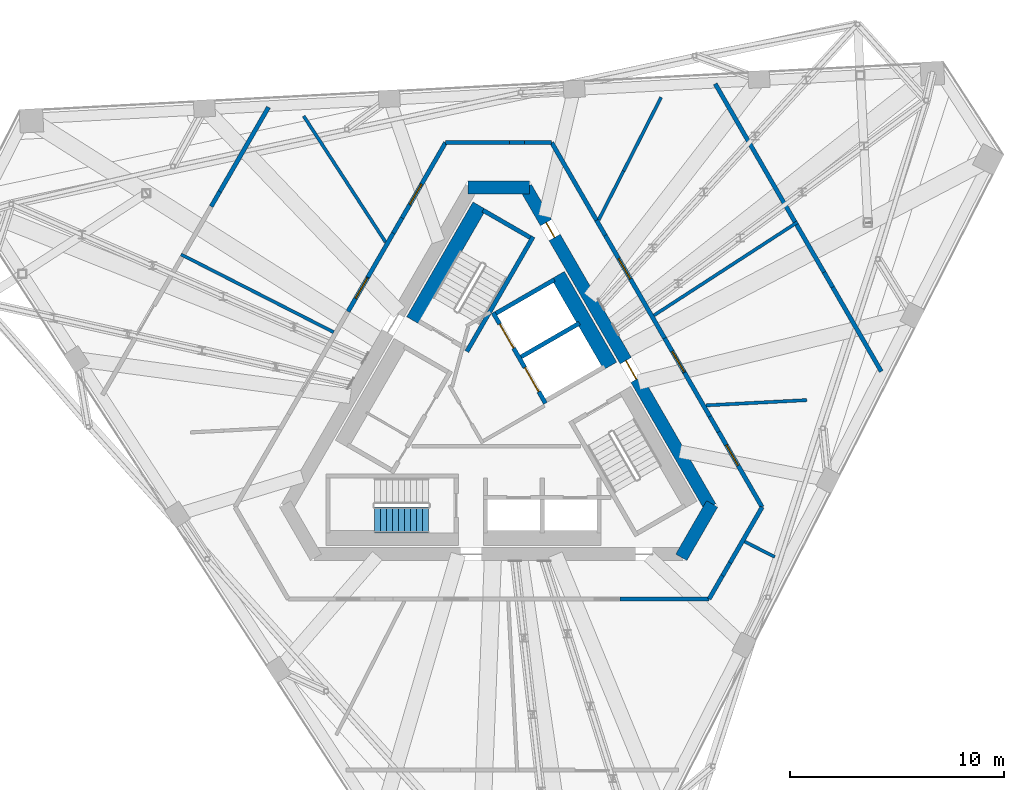
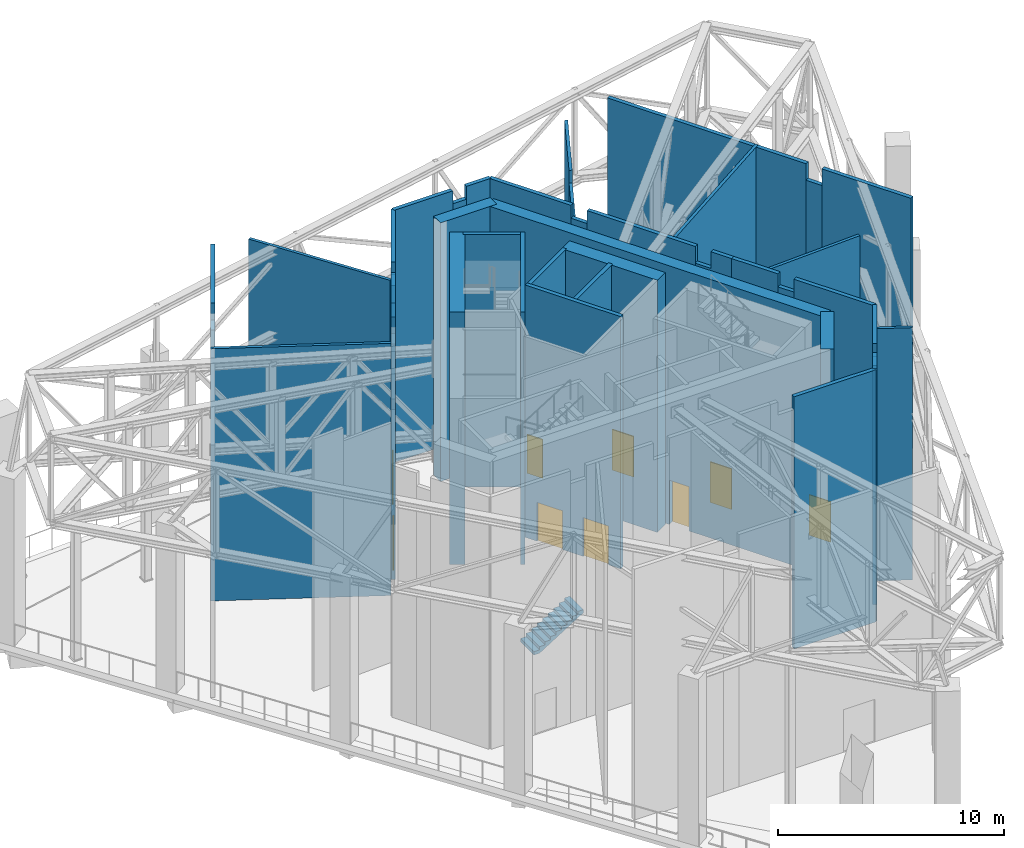
# One storey, part 16 of 23: 40 walls, 9 doors, 1 stair flight, 9 openings, 1 element without a shape of its own.
"""IFC4 building model written with IfcOpenShell, lengths in metres."""

import ifcopenshell
import ifcopenshell.guid

model = None  # the IFC model being written
_history = None  # IfcOwnerHistory: only IFC2X3 demands one
_inside = {}  # id of a spatial element -> (the spatial element, [elements in it])
_under = {}  # id of a project, library or spatial element -> (it, [spatial elements below it])
_declared = {}  # id of a project -> (the project, [libraries it declares])
_typed = {}  # id of a type object -> (the type object, [elements of that type])
_made_of = {}  # id of a material, layer set ... -> (it, [elements and type objects made of it])


def new_model(schema):
    """Start an empty IFC model of exactly this schema.

    Asked for "IFC4X3", IfcOpenShell would pick the latest addendum, in which some entities
    have other attributes; the version numbers below select the first issue.
    IFC2X3 requires an IfcOwnerHistory on every rooted entity: one is made here for all.
    """
    global model, _history
    if schema == "IFC4X3":
        model = ifcopenshell.file(schema_version=(4, 3, 0, 0))
    else:
        model = ifcopenshell.file(schema=schema)
    _inside.clear()
    _under.clear()
    _declared.clear()
    _typed.clear()
    _made_of.clear()
    _history = None
    if model.schema == "IFC2X3":
        org = make("IfcOrganization", Name="unknown")
        user = make(
            "IfcPersonAndOrganization",
            ThePerson=make("IfcPerson", FamilyName="unknown"),
            TheOrganization=org,
        )
        app = make(
            "IfcApplication",
            ApplicationDeveloper=org,
            Version="unknown",
            ApplicationFullName="unknown",
            ApplicationIdentifier="unknown",
        )
        _history = make(
            "IfcOwnerHistory",
            OwningUser=user,
            OwningApplication=app,
            ChangeAction="ADDED",
            CreationDate=0,
        )
    return model


def make(cls, **values):
    """One entity of the class cls with the attributes given. An attribute that is None is left unset."""
    return model.create_entity(
        cls, **{name: value for name, value in values.items() if value is not None}
    )


def rooted(cls, **values):
    """An entity with a GlobalId (a new one), such as an element, a storey or a relation."""
    return make(cls, GlobalId=ifcopenshell.guid.new(), OwnerHistory=_history, **values)


def si_unit(unit_type, name, prefix=None):
    """IfcSIUnit, for example si_unit("LENGTHUNIT", "METRE", prefix="MILLI")."""
    return make("IfcSIUnit", UnitType=unit_type, Prefix=prefix, Name=name)


def assignment(units):
    """IfcUnitAssignment: the units of a project."""
    return None if units is None else make("IfcUnitAssignment", Units=units)


def point(xyz):
    """IfcCartesianPoint."""
    return None if xyz is None else make("IfcCartesianPoint", Coordinates=xyz)


def direction(xyz):
    """IfcDirection."""
    return None if xyz is None else make("IfcDirection", DirectionRatios=xyz)


def frame(location, z_axis=None, x_axis=None):
    """IfcAxis2Placement3D, a coordinate frame: its origin and axes. An axis left out is left unset."""
    return make(
        "IfcAxis2Placement3D",
        Location=point(location),
        Axis=direction(z_axis),
        RefDirection=direction(x_axis),
    )


def frame_2d(location, x_axis=None):
    """IfcAxis2Placement2D, a coordinate frame in the plane: its origin and x axis."""
    return make(
        "IfcAxis2Placement2D", Location=point(location), RefDirection=direction(x_axis)
    )


def origin():
    """The frame at (0, 0, 0) with its axes left unset."""
    return frame((0.0, 0.0, 0.0))


def place(relative_to, where):
    """IfcLocalPlacement: puts the frame where relative to a parent placement (None: the world)."""
    return make(
        "IfcLocalPlacement", PlacementRelTo=relative_to, RelativePlacement=where
    )


def context(
    kind, dimensions, precision=None, world=None, true_north=None, identifier=None
):
    """IfcGeometricRepresentationContext, for example the 3D "Model" context."""
    return make(
        "IfcGeometricRepresentationContext",
        ContextIdentifier=identifier,
        ContextType=kind,
        CoordinateSpaceDimension=dimensions,
        Precision=precision,
        WorldCoordinateSystem=world,
        TrueNorth=true_north,
    )


def subcontext(parent, identifier, kind, view, scale=None):
    """IfcGeometricRepresentationSubContext, for example "Body" below "Model"."""
    return make(
        "IfcGeometricRepresentationSubContext",
        ContextIdentifier=identifier,
        ContextType=kind,
        ParentContext=parent,
        TargetScale=scale,
        TargetView=view,
    )


def project(units=None, contexts=None):
    """IfcProject with its units and contexts."""
    return rooted(
        "IfcProject",
        Name="project",
        RepresentationContexts=contexts,
        UnitsInContext=assignment(units),
    )


def spatial(cls, under=None, at=None, **own):
    """A site, building, storey or space (cls), placed at a placement, below another one or the project."""
    s = rooted(cls, ObjectPlacement=at, **own)
    if under is not None:
        _under.setdefault(under.id(), (under, []))[1].append(s)
    return s


def polyline(points):
    """IfcPolyline through the points."""
    return make("IfcPolyline", Points=[point(p) for p in points])


def profile(cls, at=None, kind="AREA", **sizes):
    """A parametric profile (cls). Its sizes go by their IFC names, for example OverallWidth=200.0."""
    return make(cls, ProfileType=kind, Position=at, **sizes)


def rectangle(**sizes):
    """IfcRectangleProfileDef."""
    return profile("IfcRectangleProfileDef", **sizes)


def outline(outer, holes=None, kind="AREA"):
    """IfcArbitraryClosedProfileDef: a profile drawn as a closed curve; with holes, ...WithVoids."""
    if holes is None:
        return make("IfcArbitraryClosedProfileDef", ProfileType=kind, OuterCurve=outer)
    return make(
        "IfcArbitraryProfileDefWithVoids",
        ProfileType=kind,
        OuterCurve=outer,
        InnerCurves=holes,
    )


def extrude(swept, where, along, depth):
    """IfcExtrudedAreaSolid: the profile swept, set in the frame where, extruded along a direction by depth."""
    return make(
        "IfcExtrudedAreaSolid",
        SweptArea=swept,
        Position=where,
        ExtrudedDirection=direction(along),
        Depth=depth,
    )


def shape(context_of_items, identifier, shape_type, items):
    """IfcShapeRepresentation: the items that make up one representation, for example the "Body"."""
    return make(
        "IfcShapeRepresentation",
        ContextOfItems=context_of_items,
        RepresentationIdentifier=identifier,
        RepresentationType=shape_type,
        Items=items,
    )


def material(Name=None, Category=None):
    """IfcMaterial."""
    return make("IfcMaterial", Name=Name, Category=Category)


def layer(
    of_material, thickness, ventilated=None, Name=None, Category=None, Priority=None
):
    """IfcMaterialLayer: one layer of a wall or slab, of a material (None: an air gap)."""
    return make(
        "IfcMaterialLayer",
        Material=of_material,
        LayerThickness=thickness,
        IsVentilated=ventilated,
        Name=Name,
        Category=Category,
        Priority=Priority,
    )


def layer_set(layers, Name=None):
    """IfcMaterialLayerSet."""
    return make("IfcMaterialLayerSet", MaterialLayers=layers, LayerSetName=Name)


def made_of(thing, what):
    """Note that an element or type object is made of a material, layer set ...; save() writes the relation."""
    if what is not None:
        _made_of.setdefault(what.id(), (what, []))[1].append(thing)
    return thing


def type_object(cls, material=None, **own):
    """A type object (cls), such as IfcWallType, which elements share."""
    return made_of(rooted(cls, **own), material)


def element(
    cls,
    number,
    at=None,
    inside=None,
    cuts=None,
    type_object=None,
    material=None,
    context=None,
    identifier="Body",
    shape_type=None,
    held_by="IfcProductDefinitionShape",
    body=None,
    shapes=None,
    **own,
):
    """One element of the class cls, such as IfcWall. Its Tag is "e" and its number.

    at: its placement. inside: the storey or other place that contains it. cuts: it is an
    opening in that element (IfcRelVoidsElement). A single representation is given by context,
    identifier, shape_type and body (its items); several are given by shapes. held_by: the class
    of the entity that holds the representations. save() writes the other relations.
    """
    e = rooted(cls, Tag="e%d" % number, ObjectPlacement=at, **own)
    if body is not None:
        shapes = [shape(context, identifier, shape_type, body)]
    if shapes is not None:
        e.Representation = make(held_by, Representations=shapes)
    if inside is not None:
        _inside.setdefault(inside.id(), (inside, []))[1].append(e)
    if cuts is not None:
        rooted(
            "IfcRelVoidsElement", RelatingBuildingElement=cuts, RelatedOpeningElement=e
        )
    if type_object is not None:
        _typed.setdefault(type_object.id(), (type_object, []))[1].append(e)
    return made_of(e, material)


def fill(opening, filler):
    """IfcRelFillsElement: the door or window that sits in an opening."""
    return rooted(
        "IfcRelFillsElement",
        RelatingOpeningElement=opening,
        RelatedBuildingElement=filler,
    )


def aggregate(whole, parts):
    """IfcRelAggregates: a whole, such as a stair, and the parts it consists of."""
    return rooted("IfcRelAggregates", RelatingObject=whole, RelatedObjects=parts)


def save(model, path):
    """Write the relations noted so far, then the file.

    IfcRelAggregates (storeys below a building ...), IfcRelContainedInSpatialStructure (elements
    in a storey), IfcRelDefinesByType, IfcRelAssociatesMaterial and IfcRelDeclares: one each for
    every whole, place, type object, material and project.
    """
    for whole, parts in _under.values():
        aggregate(whole, parts)
    for where, things in _inside.values():
        rooted(
            "IfcRelContainedInSpatialStructure",
            RelatedElements=things,
            RelatingStructure=where,
        )
    for kind, things in _typed.values():
        rooted("IfcRelDefinesByType", RelatedObjects=things, RelatingType=kind)
    for what, things in _made_of.values():
        rooted("IfcRelAssociatesMaterial", RelatedObjects=things, RelatingMaterial=what)
    for by, libraries in _declared.values():
        rooted("IfcRelDeclares", RelatingContext=by, RelatedDefinitions=libraries)
    model.write(path)


model = new_model("IFC4")

# Units and contexts
model_context = context("Model", 3, precision=1e-05, world=origin(), true_north=direction((0.0, 1.0)))
body_context = subcontext(model_context, "Body", "Model", "MODEL_VIEW")
ifc_project = project(units=[si_unit("LENGTHUNIT", "METRE"), si_unit("AREAUNIT", "SQUARE_METRE"), si_unit("VOLUMEUNIT", "CUBIC_METRE"), si_unit("PLANEANGLEUNIT", "RADIAN"), si_unit("MASSUNIT", "GRAM", prefix="KILO")], contexts=[model_context])

# Site, building, storey
site_placement = place(None, origin())
site = spatial("IfcSite", under=ifc_project, at=site_placement, CompositionType="ELEMENT")
building_placement = place(site_placement, origin())
building = spatial("IfcBuilding", under=site, at=building_placement, Name="Tramontana Tower", CompositionType="ELEMENT")
storey_placement = place(building_placement, frame((0.0, 0.0, 306.39990234375)))
storey = spatial("IfcBuildingStorey", under=building, at=storey_placement, Name="L72", CompositionType="ELEMENT", Elevation=306.39990234375)

# Walls
ifc_material_1 = material(Name="Concrete 70 MPa", Category="concrete")
ifc_layer_1 = layer(ifc_material_1, 0.60009765625)
ifc_layer_set_1 = layer_set([ifc_layer_1], Name="Core wall 600 70 MPa")
wall_type_1 = type_object("IfcWallType", Name="Core wall 600 70 MPa", PredefinedType="SHEAR", material=ifc_layer_set_1)
for number, where, z_axis, x_axis, name in (
    (1, (1.443359375, 10.699951171875, 0.0), (0.0, 0.0, 1.0), (-1.0, 0.0, 0.0), "Core wall C0 L72"),
    (2, (8.544921875, -6.60009765625, 0.0), (0.0, 0.0, 1.0), (0.499995765644, 0.866027848477, 0.0), "Core wall C4 L72"),
):
    element("IfcWall", number, at=place(storey_placement, frame(where, z_axis=z_axis, x_axis=x_axis)), inside=storey, type_object=wall_type_1, Name=name, PredefinedType="SHEAR", context=body_context, shape_type="SweptSolid", body=[
        extrude(rectangle(XDim=2.88671875, YDim=0.60009765625, at=frame_2d((1.443359375, 0.0))), origin(), (0.0, 0.0, 1.0), 14.0),
    ])

# Wall, openings, doors
wall_1_placement = place(storey_placement, frame((9.901611328125, -4.25, 0.0), z_axis=(0.0, 0.0, 1.0), x_axis=(-0.499999536116, 0.866025671608, 0.0)))
wall_1 = element("IfcWall", 3, at=wall_1_placement, inside=storey, type_object=wall_type_1, Name="Core wall C5 L72", PredefinedType="SHEAR", context=body_context, shape_type="SweptSolid", body=[
    extrude(rectangle(XDim=17.2626953125, YDim=0.60009765625, at=frame_2d((8.63134765625, 0.0))), origin(), (0.0, 0.0, 1.0), 14.0),
])
opening_1_placement = place(wall_1_placement, frame((6.906494140625, 0.0, 0.0)))
opening_1 = element("IfcOpeningElement", 4, at=opening_1_placement, cuts=wall_1, Name="Opening RG3", PredefinedType="OPENING", context=body_context, shape_type="SweptSolid", body=[
    extrude(rectangle(XDim=1.0, YDim=2.39990234375, at=frame_2d((0.5, 1.199951171875))), frame((0.0, 0.31005859375, 0.0), z_axis=(0.0, -1.0, 0.0), x_axis=(1.0, 0.0, 0.0)), (0.0, 0.0, 1.0), 0.6201171875),
])
opening_2_placement = place(wall_1_placement, frame((14.56689453125, 0.0, 0.0)))
opening_2 = element("IfcOpeningElement", 5, at=opening_2_placement, cuts=wall_1, Name="Opening PD3", PredefinedType="OPENING", context=body_context, shape_type="SweptSolid", body=[
    extrude(rectangle(XDim=0.800048828125, YDim=2.10009765625, at=frame_2d((0.39990234375, 1.050048828125))), frame((0.0, 0.31005859375, 0.0), z_axis=(0.0, -1.0, 0.0), x_axis=(1.0, 0.0, 0.0)), (0.0, 0.0, 1.0), 0.6201171875),
])
ifc_material_2 = material(Name="Painted steel", Category="steel")
door_type_1 = type_object("IfcDoorType", Name="CUPBOARD DOOR 800", OperationType="SINGLE_SWING_LEFT", PredefinedType="DOOR", material=ifc_material_2)
door_1_placement = place(opening_2_placement, origin())
door_1 = element("IfcDoor", 6, at=door_1_placement, inside=storey, type_object=door_type_1, Name="Door PD3", OperationType="SINGLE_SWING_RIGHT", OverallHeight=2.10009765625, OverallWidth=0.800048828125, PredefinedType="DOOR", context=body_context, shape_type="SweptSolid", body=[
    extrude(rectangle(XDim=0.800048828125, YDim=2.10009765625, at=frame_2d((0.39990234375, 1.050048828125))), frame((0.0, 0.02490234375, 0.0), z_axis=(0.0, -1.0, 0.0), x_axis=(1.0, 0.0, 0.0)), (0.0, 0.0, 1.0), 0.050048828125),
])
fill(opening_2, door_1)
ifc_material_3 = material(Name="Painted steel", Category="steel")
door_type_2 = type_object("IfcDoorType", Name="RING DOOR 1000", OperationType="SINGLE_SWING_LEFT", PredefinedType="DOOR", material=ifc_material_3)
door_2_placement = place(opening_1_placement, origin())
door_2 = element("IfcDoor", 7, at=door_2_placement, inside=storey, type_object=door_type_2, Name="Door RG3", OperationType="SINGLE_SWING_RIGHT", OverallHeight=2.39990234375, OverallWidth=1.0, PredefinedType="DOOR", context=body_context, shape_type="SweptSolid", body=[
    extrude(rectangle(XDim=1.0, YDim=2.39990234375, at=frame_2d((0.5, 1.199951171875))), frame((0.0, 0.02490234375, 0.0), z_axis=(0.0, -1.0, 0.0), x_axis=(1.0, 0.0, 0.0)), (0.0, 0.0, 1.0), 0.050048828125),
])
fill(opening_1, door_2)

# Walls
ifc_material_4 = material(Name="Blockwork", Category="masonry")
ifc_layer_2 = layer(ifc_material_4, 0.199951171875)
ifc_layer_set_2 = layer_set([ifc_layer_2], Name="ENCLOSURE WALL 200")
wall_type_2 = type_object("IfcWallType", Name="ENCLOSURE WALL 200", PredefinedType="SOLIDWALL", material=ifc_layer_set_2)
wall_2_placement = place(storey_placement, frame((-13.4453125, 9.811767578125, 0.0), z_axis=(0.0, 0.0, 1.0), x_axis=(0.499783563124, 0.866150327617, 0.0)))
element("IfcWall", 8, at=wall_2_placement, inside=storey, type_object=wall_type_2, Name="Wall enc1-1", PredefinedType="SOLIDWALL", context=body_context, shape_type="SweptSolid", body=[
    extrude(rectangle(XDim=0.806884765625, YDim=0.199951171875, at=frame_2d((0.4033203125, 0.0))), origin(), (0.0, 0.0, 1.0), 12.75),
])
wall_3_placement = place(storey_placement, frame((-13.0419921875, 10.5107421875, 0.0), z_axis=(0.0, 0.0, 1.0), x_axis=(0.49999457255, 0.866028537301, 0.0)))
element("IfcWall", 9, at=wall_3_placement, inside=storey, type_object=wall_type_2, Name="Wall enc1-2", PredefinedType="SOLIDWALL", context=body_context, shape_type="SweptSolid", body=[
    extrude(rectangle(XDim=4.55615234375, YDim=0.199951171875, at=frame_2d((2.278076171875, 0.0))), origin(), (0.0, 0.0, 1.0), 13.650146484375),
])
wall_4_placement = place(storey_placement, frame((10.131591796875, 15.551513671875, 0.0), z_axis=(0.0, 0.0, 1.0), x_axis=(0.499993797725, -0.86602898464, 0.0)))
element("IfcWall", 10, at=wall_4_placement, inside=storey, type_object=wall_type_2, Name="Wall enc2-0", PredefinedType="SOLIDWALL", context=body_context, shape_type="SweptSolid", body=[
    extrude(rectangle(XDim=10.177001953125, YDim=0.199951171875, at=frame_2d((5.08837890625, 0.0))), origin(), (0.0, 0.0, 1.0), 13.650146484375),
])
wall_5_placement = place(storey_placement, frame((15.219970703125, 6.738037109375, 0.0), z_axis=(0.0, 0.0, 1.0), x_axis=(0.500141487433, -0.865943700565, 0.0)))
element("IfcWall", 11, at=wall_5_placement, inside=storey, type_object=wall_type_2, Name="Wall enc2-1", PredefinedType="SOLIDWALL", context=body_context, shape_type="SweptSolid", body=[
    extrude(rectangle(XDim=0.806884765625, YDim=0.199951171875, at=frame_2d((0.4033203125, 0.0))), origin(), (0.0, 0.0, 1.0), 12.75),
])
wall_6_placement = place(storey_placement, frame((15.62353515625, 6.039306640625, 0.0), z_axis=(0.0, 0.0, 1.0), x_axis=(0.49999457255, -0.866028537301, 0.0)))
element("IfcWall", 12, at=wall_6_placement, inside=storey, type_object=wall_type_2, Name="Wall enc2-2", PredefinedType="SOLIDWALL", context=body_context, shape_type="SweptSolid", body=[
    extrude(rectangle(XDim=4.55615234375, YDim=0.199951171875, at=frame_2d((2.278076171875, 0.0))), origin(), (0.0, 0.0, 1.0), 13.650146484375),
])
ifc_material_5 = material(Name="Blockwork", Category="masonry")
ifc_layer_3 = layer(ifc_material_5, 0.199951171875)
ifc_layer_set_3 = layer_set([ifc_layer_3], Name="ENTRY WALL 200")
wall_type_3 = type_object("IfcWallType", Name="ENTRY WALL 200", PredefinedType="SOLIDWALL", material=ifc_layer_set_3)
wall_7_placement = place(storey_placement, frame((12.326416015625, -4.25, 0.0), z_axis=(0.0, 0.0, 1.0), x_axis=(-0.500003959331, -0.866023117852, 0.0)))
element("IfcWall", 13, at=wall_7_placement, inside=storey, type_object=wall_type_3, Name="Wall ew0-0", PredefinedType="SOLIDWALL", context=body_context, shape_type="SweptSolid", body=[
    extrude(rectangle(XDim=3.0029296875, YDim=0.199951171875, at=frame_2d((1.50146484375, 0.0))), origin(), (0.0, 0.0, 1.0), 13.650146484375),
])
wall_8_placement = place(storey_placement, frame((10.824951171875, -6.8505859375, 0.0), z_axis=(0.0, 0.0, 1.0), x_axis=(-0.500144223137, -0.865942120504, 0.0)))
element("IfcWall", 14, at=wall_8_placement, inside=storey, type_object=wall_type_3, Name="Wall ew0-1", PredefinedType="SOLIDWALL", context=body_context, shape_type="SweptSolid", body=[
    extrude(rectangle(XDim=0.701416015625, YDim=0.199951171875, at=frame_2d((0.3505859375, 0.0))), origin(), (0.0, 0.0, 1.0), 12.9501953125),
])
wall_9_placement = place(storey_placement, frame((10.47412109375, -7.4580078125, 0.0), z_axis=(0.0, 0.0, 1.0), x_axis=(-0.499929168788, -0.866066294342, 0.0)))
element("IfcWall", 15, at=wall_9_placement, inside=storey, type_object=wall_type_3, Name="Wall ew0-2", PredefinedType="SOLIDWALL", context=body_context, shape_type="SweptSolid", body=[
    extrude(rectangle(XDim=1.260986328125, YDim=0.199951171875, at=frame_2d((0.63037109375, 0.0))), origin(), (0.0, 0.0, 1.0), 13.650146484375),
])
wall_10_placement = place(storey_placement, frame((9.84375, -8.550048828125, 0.0), z_axis=(0.0, 0.0, 1.0), x_axis=(-1.0, 0.0, 0.0)))
element("IfcWall", 16, at=wall_10_placement, inside=storey, type_object=wall_type_3, Name="Wall ew1-0", PredefinedType="SOLIDWALL", context=body_context, shape_type="SweptSolid", body=[
    extrude(rectangle(XDim=4.176025390625, YDim=0.199951171875, at=frame_2d((2.087890625, 0.0))), origin(), (0.0, 0.0, 1.0), 13.650146484375),
])

# Wall, opening, door
wall_11_placement = place(storey_placement, frame((-7.043701171875, 4.900146484375, 0.0), z_axis=(0.0, 0.0, 1.0), x_axis=(0.500045188778, 0.865999312459, 0.0)))
wall_11 = element("IfcWall", 17, at=wall_11_placement, inside=storey, type_object=wall_type_3, Name="Wall ew3-3", PredefinedType="SOLIDWALL", context=body_context, shape_type="SweptSolid", body=[
    extrude(outline(polyline([(0.0, 0.0), (1.855224609375, 0.0), (1.855224609375, 13.650146484375), (0.806884765625, 13.650146484375), (0.806884765625, 12.75), (0.0, 12.75), (0.0, 0.0)])), frame((0.0, 0.10009765625, 0.0), z_axis=(0.0, -1.0, 0.0), x_axis=(1.0, 0.0, 0.0)), (0.0, 0.0, 1.0), 0.199951171875),
])
opening_3_placement = place(wall_11_placement, frame((0.705322265625, 0.0, 0.0)))
opening_3 = element("IfcOpeningElement", 18, at=opening_3_placement, cuts=wall_11, Name="Opening L72-02", PredefinedType="OPENING", context=body_context, shape_type="SweptSolid", body=[
    extrude(rectangle(XDim=1.10009765625, YDim=2.199951171875, at=frame_2d((0.550048828125, 1.10009765625))), frame((0.0, 0.10986328125, 0.0), z_axis=(0.0, -1.0, 0.0), x_axis=(1.0, 0.0, 0.0)), (0.0, 0.0, 1.0), 0.219970703125),
])
ifc_material_6 = material(Name="Painted steel", Category="steel")
door_type_3 = type_object("IfcDoorType", Name="PLANT DOOR 1100", OperationType="SINGLE_SWING_LEFT", PredefinedType="DOOR", material=ifc_material_6)
door_3_placement = place(opening_3_placement, origin())
door_3 = element("IfcDoor", 19, at=door_3_placement, inside=storey, type_object=door_type_3, Name="Door L72-02", OperationType="SINGLE_SWING_RIGHT", OverallHeight=2.199951171875, OverallWidth=1.10009765625, PredefinedType="DOOR", context=body_context, shape_type="SweptSolid", body=[
    extrude(rectangle(XDim=1.10009765625, YDim=2.199951171875, at=frame_2d((0.550048828125, 1.10009765625))), frame((0.0, 0.02490234375, 0.0), z_axis=(0.0, -1.0, 0.0), x_axis=(1.0, 0.0, 0.0)), (0.0, 0.0, 1.0), 0.050048828125),
])
fill(opening_3, door_3)

# Walls
wall_12_placement = place(storey_placement, frame((-6.115966796875, 6.5068359375, 0.0), z_axis=(0.0, 0.0, 1.0), x_axis=(0.499998356159, 0.866026352854, 0.0)))
element("IfcWall", 20, at=wall_12_placement, inside=storey, type_object=wall_type_3, Name="Wall ew3-4", PredefinedType="SOLIDWALL", context=body_context, shape_type="SweptSolid", body=[
    extrude(rectangle(XDim=2.37451171875, YDim=0.199951171875, at=frame_2d((1.187255859375, 0.0))), origin(), (0.0, 0.0, 1.0), 13.650146484375),
])
wall_13_placement = place(storey_placement, frame((-4.9287109375, 8.563232421875, 0.0), z_axis=(0.0, 0.0, 1.0), x_axis=(0.500046299512, 0.865998671098, 0.0)))
element("IfcWall", 21, at=wall_13_placement, inside=storey, type_object=wall_type_3, Name="Wall ew3-5", PredefinedType="SOLIDWALL", context=body_context, shape_type="SweptSolid", body=[
    extrude(rectangle(XDim=0.82666015625, YDim=0.199951171875, at=frame_2d((0.413330078125, 0.0))), origin(), (0.0, 0.0, 1.0), 12.9501953125),
])

# Wall, opening, door
wall_14_placement = place(storey_placement, frame((-4.515380859375, 9.279052734375, 0.0), z_axis=(0.0, 0.0, 1.0), x_axis=(0.499975428181, 0.866039589866, 0.0)))
wall_14 = element("IfcWall", 22, at=wall_14_placement, inside=storey, type_object=wall_type_3, Name="Wall ew3-6", PredefinedType="SOLIDWALL", context=body_context, shape_type="SweptSolid", body=[
    extrude(rectangle(XDim=4.065673828125, YDim=0.199951171875, at=frame_2d((2.03271484375, 0.0))), origin(), (0.0, 0.0, 1.0), 13.650146484375),
])
opening_4_placement = place(wall_14_placement, frame((0.716552734375, 0.0, 0.0)))
opening_4 = element("IfcOpeningElement", 23, at=opening_4_placement, cuts=wall_14, Name="Opening L72-01", PredefinedType="OPENING", context=body_context, shape_type="SweptSolid", body=[
    extrude(rectangle(XDim=1.10009765625, YDim=2.199951171875, at=frame_2d((0.550048828125, 1.10009765625))), frame((0.0, 0.10986328125, 0.0), z_axis=(0.0, -1.0, 0.0), x_axis=(1.0, 0.0, 0.0)), (0.0, 0.0, 1.0), 0.219970703125),
])
door_4_placement = place(opening_4_placement, origin())
door_4 = element("IfcDoor", 24, at=door_4_placement, inside=storey, type_object=door_type_3, Name="Door L72-01", OperationType="SINGLE_SWING_LEFT", OverallHeight=2.199951171875, OverallWidth=1.10009765625, PredefinedType="DOOR", context=body_context, shape_type="SweptSolid", body=[
    extrude(rectangle(XDim=1.10009765625, YDim=2.199951171875, at=frame_2d((0.550048828125, 1.10009765625))), frame((0.0, 0.02490234375, 0.0), z_axis=(0.0, -1.0, 0.0), x_axis=(1.0, 0.0, 0.0)), (0.0, 0.0, 1.0), 0.050048828125),
])
fill(opening_4, door_4)

# Walls
wall_15_placement = place(storey_placement, frame((-2.482666015625, 12.800048828125, 0.0), z_axis=(0.0, 0.0, 1.0), x_axis=(1.0, 0.0, 0.0)))
element("IfcWall", 25, at=wall_15_placement, inside=storey, type_object=wall_type_3, Name="Wall ew4-0", PredefinedType="SOLIDWALL", context=body_context, shape_type="SweptSolid", body=[
    extrude(rectangle(XDim=3.0029296875, YDim=0.199951171875, at=frame_2d((1.50146484375, 0.0))), origin(), (0.0, 0.0, 1.0), 13.650146484375),
])
wall_16_placement = place(storey_placement, frame((0.520263671875, 12.800048828125, 0.0), z_axis=(0.0, 0.0, 1.0), x_axis=(1.0, 0.0, 0.0)))
element("IfcWall", 26, at=wall_16_placement, inside=storey, type_object=wall_type_3, Name="Wall ew4-1", PredefinedType="SOLIDWALL", context=body_context, shape_type="SweptSolid", body=[
    extrude(rectangle(XDim=0.701416015625, YDim=0.199951171875, at=frame_2d((0.3505859375, 0.0))), origin(), (0.0, 0.0, 1.0), 12.9501953125),
])
wall_17_placement = place(storey_placement, frame((1.2216796875, 12.800048828125, 0.0), z_axis=(0.0, 0.0, 1.0), x_axis=(1.0, 0.0, 0.0)))
element("IfcWall", 27, at=wall_17_placement, inside=storey, type_object=wall_type_3, Name="Wall ew4-2", PredefinedType="SOLIDWALL", context=body_context, shape_type="SweptSolid", body=[
    extrude(rectangle(XDim=1.260986328125, YDim=0.199951171875, at=frame_2d((0.63037109375, 0.0))), origin(), (0.0, 0.0, 1.0), 13.650146484375),
])
wall_18_placement = place(storey_placement, frame((2.482666015625, 12.800048828125, 0.0), z_axis=(0.0, 0.0, 1.0), x_axis=(0.499982771656, -0.866035350345, 0.0)))
element("IfcWall", 28, at=wall_18_placement, inside=storey, type_object=wall_type_3, Name="Wall ew5-0", PredefinedType="SOLIDWALL", context=body_context, shape_type="SweptSolid", body=[
    extrude(rectangle(XDim=4.194580078125, YDim=0.199951171875, at=frame_2d((2.09716796875, 0.0))), origin(), (0.0, 0.0, 1.0), 13.650146484375),
])
wall_19_placement = place(storey_placement, frame((4.579833984375, 9.16748046875, 0.0), z_axis=(0.0, 0.0, 1.0), x_axis=(0.499945576647, -0.866056822842, 0.0)))
element("IfcWall", 29, at=wall_19_placement, inside=storey, type_object=wall_type_3, Name="Wall ew5-1", PredefinedType="SOLIDWALL", context=body_context, shape_type="SweptSolid", body=[
    extrude(rectangle(XDim=0.82080078125, YDim=0.199951171875, at=frame_2d((0.410400390625, 0.0))), origin(), (0.0, 0.0, 1.0), 12.9501953125),
])

# Wall, opening, door
wall_20_placement = place(storey_placement, frame((4.990234375, 8.45654296875, 0.0), z_axis=(0.0, 0.0, 1.0), x_axis=(0.500004219487, -0.866022967649, 0.0)))
wall_20 = element("IfcWall", 30, at=wall_20_placement, inside=storey, type_object=wall_type_3, Name="Wall ew5-2", PredefinedType="SOLIDWALL", context=body_context, shape_type="SweptSolid", body=[
    extrude(rectangle(XDim=5.55029296875, YDim=0.199951171875, at=frame_2d((2.775146484375, 0.0))), origin(), (0.0, 0.0, 1.0), 13.650146484375),
])
opening_5_placement = place(wall_20_placement, frame((1.2431640625, 0.0, 0.0)))
opening_5 = element("IfcOpeningElement", 31, at=opening_5_placement, cuts=wall_20, Name="Opening L72-09", PredefinedType="OPENING", context=body_context, shape_type="SweptSolid", body=[
    extrude(rectangle(XDim=1.10009765625, YDim=2.199951171875, at=frame_2d((0.550048828125, 1.10009765625))), frame((0.0, 0.10986328125, 0.0), z_axis=(0.0, -1.0, 0.0), x_axis=(1.0, 0.0, 0.0)), (0.0, 0.0, 1.0), 0.219970703125),
])
door_5_placement = place(opening_5_placement, origin())
door_5 = element("IfcDoor", 32, at=door_5_placement, inside=storey, type_object=door_type_3, Name="Door L72-09", OperationType="SINGLE_SWING_LEFT", OverallHeight=2.199951171875, OverallWidth=1.10009765625, PredefinedType="DOOR", context=body_context, shape_type="SweptSolid", body=[
    extrude(rectangle(XDim=1.10009765625, YDim=2.199951171875, at=frame_2d((0.550048828125, 1.10009765625))), frame((0.0, 0.02490234375, 0.0), z_axis=(0.0, -1.0, 0.0), x_axis=(1.0, 0.0, 0.0)), (0.0, 0.0, 1.0), 0.050048828125),
])
fill(opening_5, door_5)

wall_21_placement = place(storey_placement, frame((7.765380859375, 3.64990234375, 0.0), z_axis=(0.0, 0.0, 1.0), x_axis=(0.500045188778, -0.865999312459, 0.0)))
wall_21 = element("IfcWall", 33, at=wall_21_placement, inside=storey, type_object=wall_type_3, Name="Wall ew5-3", PredefinedType="SOLIDWALL", context=body_context, shape_type="SweptSolid", body=[
    extrude(outline(polyline([(0.0, 0.0), (1.855224609375, 0.0), (1.855224609375, 13.650146484375), (0.806884765625, 13.650146484375), (0.806884765625, 12.75), (0.0, 12.75), (0.0, 0.0)])), frame((0.0, 0.10009765625, 0.0), z_axis=(0.0, -1.0, 0.0), x_axis=(1.0, 0.0, 0.0)), (0.0, 0.0, 1.0), 0.199951171875),
])
opening_6_placement = place(wall_21_placement, frame((0.705322265625, 0.0, 0.0)))
opening_6 = element("IfcOpeningElement", 34, at=opening_6_placement, cuts=wall_21, Name="Opening L72-08", PredefinedType="OPENING", context=body_context, shape_type="SweptSolid", body=[
    extrude(rectangle(XDim=1.10009765625, YDim=2.199951171875, at=frame_2d((0.550048828125, 1.10009765625))), frame((0.0, 0.10986328125, 0.0), z_axis=(0.0, -1.0, 0.0), x_axis=(1.0, 0.0, 0.0)), (0.0, 0.0, 1.0), 0.219970703125),
])
door_6_placement = place(opening_6_placement, origin())
door_6 = element("IfcDoor", 35, at=door_6_placement, inside=storey, type_object=door_type_3, Name="Door L72-08", OperationType="SINGLE_SWING_RIGHT", OverallHeight=2.199951171875, OverallWidth=1.10009765625, PredefinedType="DOOR", context=body_context, shape_type="SweptSolid", body=[
    extrude(rectangle(XDim=1.10009765625, YDim=2.199951171875, at=frame_2d((0.550048828125, 1.10009765625))), frame((0.0, 0.02490234375, 0.0), z_axis=(0.0, -1.0, 0.0), x_axis=(1.0, 0.0, 0.0)), (0.0, 0.0, 1.0), 0.050048828125),
])
fill(opening_6, door_6)

# Walls
wall_22_placement = place(storey_placement, frame((8.693115234375, 2.043212890625, 0.0), z_axis=(0.0, 0.0, 1.0), x_axis=(0.499953838557, -0.866052053466, 0.0)))
element("IfcWall", 36, at=wall_22_placement, inside=storey, type_object=wall_type_3, Name="Wall ew5-4", PredefinedType="SOLIDWALL", context=body_context, shape_type="SweptSolid", body=[
    extrude(rectangle(XDim=2.374755859375, YDim=0.199951171875, at=frame_2d((1.1875, 0.0))), origin(), (0.0, 0.0, 1.0), 13.650146484375),
])
wall_23_placement = place(storey_placement, frame((9.88037109375, -0.013427734375, 0.0), z_axis=(0.0, 0.0, 1.0), x_axis=(0.499952654668, -0.866052736899, 0.0)))
element("IfcWall", 37, at=wall_23_placement, inside=storey, type_object=wall_type_3, Name="Wall ew5-5", PredefinedType="SOLIDWALL", context=body_context, shape_type="SweptSolid", body=[
    extrude(rectangle(XDim=0.826171875, YDim=0.199951171875, at=frame_2d((0.4130859375, 0.0))), origin(), (0.0, 0.0, 1.0), 12.9501953125),
])

# Wall, opening, door
wall_24_placement = place(storey_placement, frame((10.29345703125, -0.72900390625, 0.0), z_axis=(0.0, 0.0, 1.0), x_axis=(0.50002046505, -0.86601358796, 0.0)))
wall_24 = element("IfcWall", 38, at=wall_24_placement, inside=storey, type_object=wall_type_3, Name="Wall ew5-6", PredefinedType="SOLIDWALL", context=body_context, shape_type="SweptSolid", body=[
    extrude(rectangle(XDim=4.065673828125, YDim=0.199951171875, at=frame_2d((2.03271484375, 0.0))), origin(), (0.0, 0.0, 1.0), 13.650146484375),
])
opening_7_placement = place(wall_24_placement, frame((0.716796875, 0.0, 0.0)))
opening_7 = element("IfcOpeningElement", 39, at=opening_7_placement, cuts=wall_24, Name="Opening L72-07", PredefinedType="OPENING", context=body_context, shape_type="SweptSolid", body=[
    extrude(rectangle(XDim=1.10009765625, YDim=2.199951171875, at=frame_2d((0.550048828125, 1.10009765625))), frame((0.0, 0.10986328125, 0.0), z_axis=(0.0, -1.0, 0.0), x_axis=(1.0, 0.0, 0.0)), (0.0, 0.0, 1.0), 0.219970703125),
])
door_7_placement = place(opening_7_placement, origin())
door_7 = element("IfcDoor", 40, at=door_7_placement, inside=storey, type_object=door_type_3, Name="Door L72-07", OperationType="SINGLE_SWING_LEFT", OverallHeight=2.199951171875, OverallWidth=1.10009765625, PredefinedType="DOOR", context=body_context, shape_type="SweptSolid", body=[
    extrude(rectangle(XDim=1.10009765625, YDim=2.199951171875, at=frame_2d((0.550048828125, 1.10009765625))), frame((0.0, 0.02490234375, 0.0), z_axis=(0.0, -1.0, 0.0), x_axis=(1.0, 0.0, 0.0)), (0.0, 0.0, 1.0), 0.050048828125),
])
fill(opening_7, door_7)

# Walls
ifc_material_7 = material(Name="Gypsum board partition")
ifc_layer_4 = layer(ifc_material_7, 0.14990234375)
ifc_layer_set_4 = layer_set([ifc_layer_4], Name="PARTITION 150")
wall_type_4 = type_object("IfcWallType", Name="PARTITION 150", PredefinedType="PARTITIONING", material=ifc_layer_set_4)
wall_25_placement = place(storey_placement, frame((-7.7177734375, 3.932373046875, 0.0), z_axis=(0.0, 0.0, 1.0), x_axis=(-0.891006469539, 0.453990606995, 0.0)))
element("IfcWall", 41, at=wall_25_placement, inside=storey, type_object=wall_type_4, Name="Wall fw-pw01", PredefinedType="PARTITIONING", context=body_context, shape_type="SweptSolid", body=[
    extrude(rectangle(XDim=8.010986328125, YDim=0.14990234375, at=frame_2d((4.00537109375, 0.0))), origin(), (0.0, 0.0, 1.0), 13.650146484375),
])
wall_26_placement = place(storey_placement, frame((-5.287353515625, 8.141845703125, 0.0), z_axis=(0.0, 0.0, 1.0), x_axis=(-0.544633340221, 0.83867426616, 0.0)))
element("IfcWall", 42, at=wall_26_placement, inside=storey, type_object=wall_type_4, Name="Wall fw-pw02", PredefinedType="PARTITIONING", context=body_context, shape_type="SweptSolid", body=[
    extrude(rectangle(XDim=7.03515625, YDim=0.14990234375, at=frame_2d((3.517578125, 0.0))), origin(), (0.0, 0.0, 1.0), 13.650146484375),
])
wall_27_placement = place(storey_placement, frame((7.264404296875, 4.717529296875, 0.0), z_axis=(0.0, 0.0, 1.0), x_axis=(0.838671229972, 0.544638015583, 0.0)))
element("IfcWall", 43, at=wall_27_placement, inside=storey, type_object=wall_type_4, Name="Wall fw-pw05", PredefinedType="PARTITIONING", context=body_context, shape_type="SweptSolid", body=[
    extrude(rectangle(XDim=8.010986328125, YDim=0.14990234375, at=frame_2d((4.00537109375, 0.0))), origin(), (0.0, 0.0, 1.0), 13.650146484375),
])
wall_28_placement = place(storey_placement, frame((7.601318359375, 14.918212890625, 0.0), z_axis=(0.0, 0.0, 1.0), x_axis=(-0.454033423959, -0.890984651904, 0.0)))
element("IfcWall", 44, at=wall_28_placement, inside=storey, type_object=wall_type_4, Name="Wall fw-pw06-0", PredefinedType="PARTITIONING", context=body_context, shape_type="SweptSolid", body=[
    extrude(rectangle(XDim=3.873046875, YDim=0.14990234375, at=frame_2d((1.9365234375, 0.0))), origin(), (0.0, 0.0, 1.0), 13.650146484375),
])
wall_29_placement = place(storey_placement, frame((5.8427734375, 11.46728515625, 0.0), z_axis=(0.0, 0.0, 1.0), x_axis=(-0.454001617185, -0.891000859479, 0.0)))
element("IfcWall", 45, at=wall_29_placement, inside=storey, type_object=wall_type_4, Name="Wall fw-pw06-1", PredefinedType="PARTITIONING", context=body_context, shape_type="SweptSolid", body=[
    extrude(rectangle(XDim=2.555908203125, YDim=0.14990234375, at=frame_2d((1.27783203125, 0.0))), origin(), (0.0, 0.0, 1.0), 12.9501953125),
])
wall_30_placement = place(storey_placement, frame((9.69482421875, 0.508056640625, 0.0), z_axis=(0.0, 0.0, 1.0), x_axis=(0.998629649164, 0.05233377313, 0.0)))
element("IfcWall", 46, at=wall_30_placement, inside=storey, type_object=wall_type_4, Name="Wall fw-pw07", PredefinedType="PARTITIONING", context=body_context, shape_type="SweptSolid", body=[
    extrude(rectangle(XDim=4.725830078125, YDim=0.14990234375, at=frame_2d((2.36279296875, 0.0))), origin(), (0.0, 0.0, 1.0), 13.650146484375),
])
wall_31_placement = place(storey_placement, frame((11.509765625, -5.864501953125, 0.0), z_axis=(0.0, 0.0, 1.0), x_axis=(0.891006520779, -0.453990506431, 0.0)))
element("IfcWall", 47, at=wall_31_placement, inside=storey, type_object=wall_type_4, Name="Wall fw-pw08", PredefinedType="PARTITIONING", context=body_context, shape_type="SweptSolid", body=[
    extrude(rectangle(XDim=1.58203125, YDim=0.14990234375, at=frame_2d((0.791015625, 0.0))), origin(), (0.0, 0.0, 1.0), 13.650146484375),
])
ifc_material_8 = material(Name="Concrete 70 MPa", Category="concrete")
ifc_layer_5 = layer(ifc_material_8, 0.699951171875)
ifc_layer_set_5 = layer_set([ifc_layer_5], Name="Concrete 70 MPa, 700 mm")
wall_type_5 = type_object("IfcWallType", Name="RC SHAFT BACK WALL 700", PredefinedType="SOLIDWALL", material=ifc_layer_set_5)
wall_32_placement = place(storey_placement, frame((-0.896240234375, 9.847412109375, 0.0), z_axis=(0.0, 0.0, 1.0), x_axis=(-0.500009909098, -0.866019682689, 0.0)))
element("IfcWall", 48, at=wall_32_placement, inside=storey, type_object=wall_type_5, Name="Wall st1-back", PredefinedType="SOLIDWALL", context=body_context, shape_type="SweptSolid", body=[
    extrude(rectangle(XDim=6.199951171875, YDim=0.699951171875, at=frame_2d((3.10009765625, 0.0))), origin(), (0.0, 0.0, 1.0), 13.650146484375),
])
wall_33_placement = place(storey_placement, frame((5.221435546875, 2.3564453125, 0.0), z_axis=(0.0, 0.0, 1.0), x_axis=(-0.500040169509, 0.866002210665, 0.0)))
element("IfcWall", 49, at=wall_33_placement, inside=storey, type_object=wall_type_5, Name="Wall row2-back", PredefinedType="SOLIDWALL", context=body_context, shape_type="SweptSolid", body=[
    extrude(rectangle(XDim=4.89990234375, YDim=0.699951171875, at=frame_2d((2.449951171875, 0.0))), origin(), (0.0, 0.0, 1.0), 13.650146484375),
])
ifc_material_9 = material(Name="Concrete 70 MPa", Category="concrete")
ifc_layer_6 = layer(ifc_material_9, 0.199951171875)
ifc_layer_set_6 = layer_set([ifc_layer_6], Name="Concrete 70 MPa, 200 mm")
wall_type_6 = type_object("IfcWallType", Name="RC STAIR AND SHAFT WALL 200", PredefinedType="SOLIDWALL", material=ifc_layer_set_6)
wall_34_placement = place(storey_placement, frame((1.615234375, 8.3974609375, 0.0), z_axis=(0.0, 0.0, 1.0), x_axis=(-0.500009909098, -0.866019682689, 0.0)))
element("IfcWall", 50, at=wall_34_placement, inside=storey, type_object=wall_type_6, Name="Wall st1-front", PredefinedType="SOLIDWALL", context=body_context, shape_type="SweptSolid", body=[
    extrude(rectangle(XDim=6.199951171875, YDim=0.199951171875, at=frame_2d((3.10009765625, 0.0))), origin(), (0.0, 0.0, 1.0), 13.650146484375),
])
wall_35_placement = place(storey_placement, frame((1.478515625, 8.36083984375, 0.0), z_axis=(0.0, 0.0, 1.0), x_axis=(-0.865989465428, 0.500062241894, 0.0)))
element("IfcWall", 51, at=wall_35_placement, inside=storey, type_object=wall_type_6, Name="Wall st1-far", PredefinedType="SOLIDWALL", context=body_context, shape_type="SweptSolid", body=[
    extrude(rectangle(XDim=2.550048828125, YDim=0.199951171875, at=frame_2d((1.27490234375, 0.0))), origin(), (0.0, 0.0, 1.0), 13.650146484375),
])

# Wall, openings, doors
wall_36_placement = place(storey_placement, frame((2.190185546875, 0.6064453125, 0.0), z_axis=(0.0, 0.0, 1.0), x_axis=(-0.500002801628, 0.866023786258, 0.0)))
wall_36 = element("IfcWall", 52, at=wall_36_placement, inside=storey, type_object=wall_type_6, Name="Wall row2-front", PredefinedType="SOLIDWALL", context=body_context, shape_type="SweptSolid", body=[
    extrude(rectangle(XDim=4.89990234375, YDim=0.199951171875, at=frame_2d((2.449951171875, 0.0))), origin(), (0.0, 0.0, 1.0), 13.650146484375),
])
opening_8_placement = place(wall_36_placement, frame((0.625, 0.0, 0.0)))
opening_8 = element("IfcOpeningElement", 53, at=opening_8_placement, cuts=wall_36, Name="Opening LD-F1", PredefinedType="OPENING", context=body_context, shape_type="SweptSolid", body=[
    extrude(rectangle(XDim=1.300048828125, YDim=2.10009765625, at=frame_2d((0.64990234375, 1.050048828125))), frame((0.0, 0.10986328125, 0.0), z_axis=(0.0, -1.0, 0.0), x_axis=(1.0, 0.0, 0.0)), (0.0, 0.0, 1.0), 0.219970703125),
])
opening_9_placement = place(wall_36_placement, frame((2.97509765625, 0.0, 0.0)))
opening_9 = element("IfcOpeningElement", 54, at=opening_9_placement, cuts=wall_36, Name="Opening LD-F2", PredefinedType="OPENING", context=body_context, shape_type="SweptSolid", body=[
    extrude(rectangle(XDim=1.300048828125, YDim=2.10009765625, at=frame_2d((0.64990234375, 1.050048828125))), frame((0.0, 0.10986328125, 0.0), z_axis=(0.0, -1.0, 0.0), x_axis=(1.0, 0.0, 0.0)), (0.0, 0.0, 1.0), 0.219970703125),
])
ifc_material_10 = material(Name="Brushed steel", Category="steel")
door_type_4 = type_object("IfcDoorType", Name="LANDING DOOR 1300", OperationType="SINGLE_SWING_LEFT", PredefinedType="DOOR", material=ifc_material_10)
door_8_placement = place(opening_8_placement, origin())
door_8 = element("IfcDoor", 55, at=door_8_placement, inside=storey, type_object=door_type_4, Name="Door LD-F1", OperationType="SLIDING_TO_LEFT", OverallHeight=2.10009765625, OverallWidth=1.300048828125, PredefinedType="DOOR", context=body_context, shape_type="SweptSolid", body=[
    extrude(rectangle(XDim=1.300048828125, YDim=2.10009765625, at=frame_2d((0.64990234375, 1.050048828125))), frame((0.0, 0.02490234375, 0.0), z_axis=(0.0, -1.0, 0.0), x_axis=(1.0, 0.0, 0.0)), (0.0, 0.0, 1.0), 0.050048828125),
])
fill(opening_8, door_8)
door_9_placement = place(opening_9_placement, origin())
door_9 = element("IfcDoor", 56, at=door_9_placement, inside=storey, type_object=door_type_4, Name="Door LD-F2", OperationType="SLIDING_TO_RIGHT", OverallHeight=2.10009765625, OverallWidth=1.300048828125, PredefinedType="DOOR", context=body_context, shape_type="SweptSolid", body=[
    extrude(rectangle(XDim=1.300048828125, YDim=2.10009765625, at=frame_2d((0.64990234375, 1.050048828125))), frame((0.0, 0.02490234375, 0.0), z_axis=(0.0, -1.0, 0.0), x_axis=(1.0, 0.0, 0.0)), (0.0, 0.0, 1.0), 0.050048828125),
])
fill(opening_9, door_9)

# Walls
for number, where, z_axis, x_axis, name in (
    (57, (1.0517578125, 2.778076171875, 0.0), (0.0, 0.0, 1.0), (0.866035871367, 0.499981869177, 0.0), "Wall row2-side1"),
    (58, (-0.123046875, 4.813232421875, 0.0), (0.0, 0.0, 1.0), (0.866016494683, 0.500015430699, 0.0), "Wall row2-side2"),
):
    element("IfcWall", number, at=place(storey_placement, frame(where, z_axis=z_axis, x_axis=x_axis)), inside=storey, type_object=wall_type_6, Name=name, PredefinedType="SOLIDWALL", context=body_context, shape_type="SweptSolid", body=[
        extrude(rectangle(XDim=3.14990234375, YDim=0.199951171875, at=frame_2d((1.574951171875, 0.0))), origin(), (0.0, 0.0, 1.0), 13.650146484375),
    ])

# Stair, stair flight
ifc_material_11 = material(Name="Concrete 40 MPa", Category="concrete")
stair_type = type_object("IfcStairType", Name="EXIT STAIR 80 RISERS", PredefinedType="HALF_TURN_STAIR", material=ifc_material_11)
stair_placement = place(storey_placement, origin())
stair = element("IfcStair", 59, at=stair_placement, inside=storey, type_object=stair_type, Name="L72 Exit stair ST2", PredefinedType="HALF_TURN_STAIR")
ifc_material_12 = material(Name="Concrete 40 MPa", Category="concrete")
ifc_layer_7 = layer(ifc_material_12, 0.14990234375)
ifc_layer_set_7 = layer_set([ifc_layer_7], Name="EXIT STAIR FLIGHT")
stair_flight_type = type_object("IfcStairFlightType", Name="EXIT STAIR FLIGHT", PredefinedType="STRAIGHT", material=ifc_layer_set_7)
stair_flight_placement = place(storey_placement, frame((-5.800048828125, -4.85009765625, 1.75), z_axis=(0.0, 0.0, 1.0), x_axis=(1.0, 0.0, 0.0)))
stair_flight = element("IfcStairFlight", 60, at=stair_flight_placement, type_object=stair_flight_type, Name="ST2 flight 2", NumberOfRisers=10, NumberOfTreads=9, PredefinedType="STRAIGHT", RiserHeight=0.175, TreadLength=0.28, context=body_context, shape_type="SweptSolid", body=[
    extrude(outline(polyline([(-0.006103515625, 0.0), (-0.006103515625, 0.0400390625), (0.0, 0.0400390625), (0.0, 0.175048828125), (0.280029296875, 0.175048828125), (0.280029296875, 0.35009765625), (0.56005859375, 0.35009765625), (0.56005859375, 0.52490234375), (0.840087890625, 0.52490234375), (0.840087890625, 0.699951171875), (1.1201171875, 0.699951171875), (1.1201171875, 0.875), (1.39990234375, 0.875), (1.39990234375, 1.050048828125), (1.679931640625, 1.050048828125), (1.679931640625, 1.22509765625), (1.9599609375, 1.22509765625), (1.9599609375, 1.39990234375), (2.239990234375, 1.39990234375), (2.239990234375, 1.574951171875), (2.52001953125, 1.574951171875), (2.52587890625, 1.574951171875), (2.52587890625, 1.398193359375), (0.288818359375, 0.0), (-0.006103515625, 0.0)])), frame((0.0, 0.60009765625, 0.0), z_axis=(0.0, -1.0, 0.0), x_axis=(1.0, 0.0, 0.0)), (0.0, 0.0, 1.0), 1.199951171875),
])
aggregate(stair, [stair_flight])

save(model, "model.ifc")
